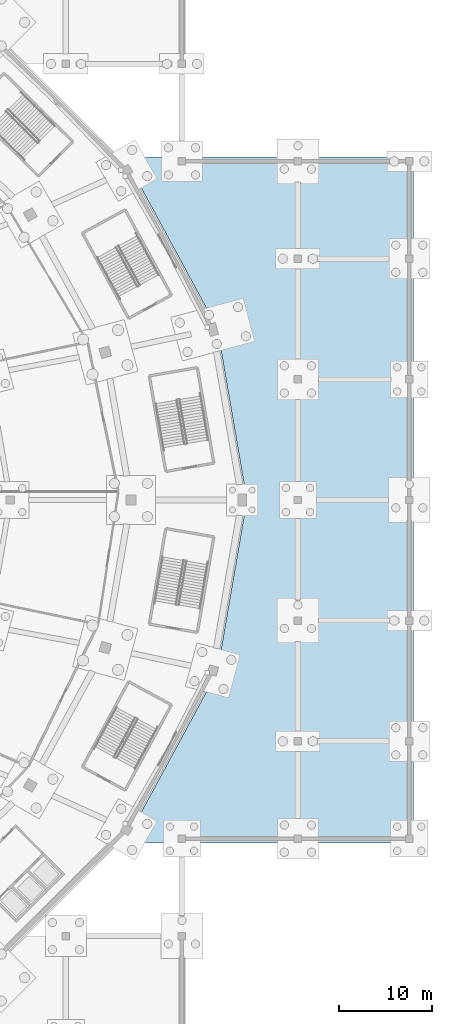
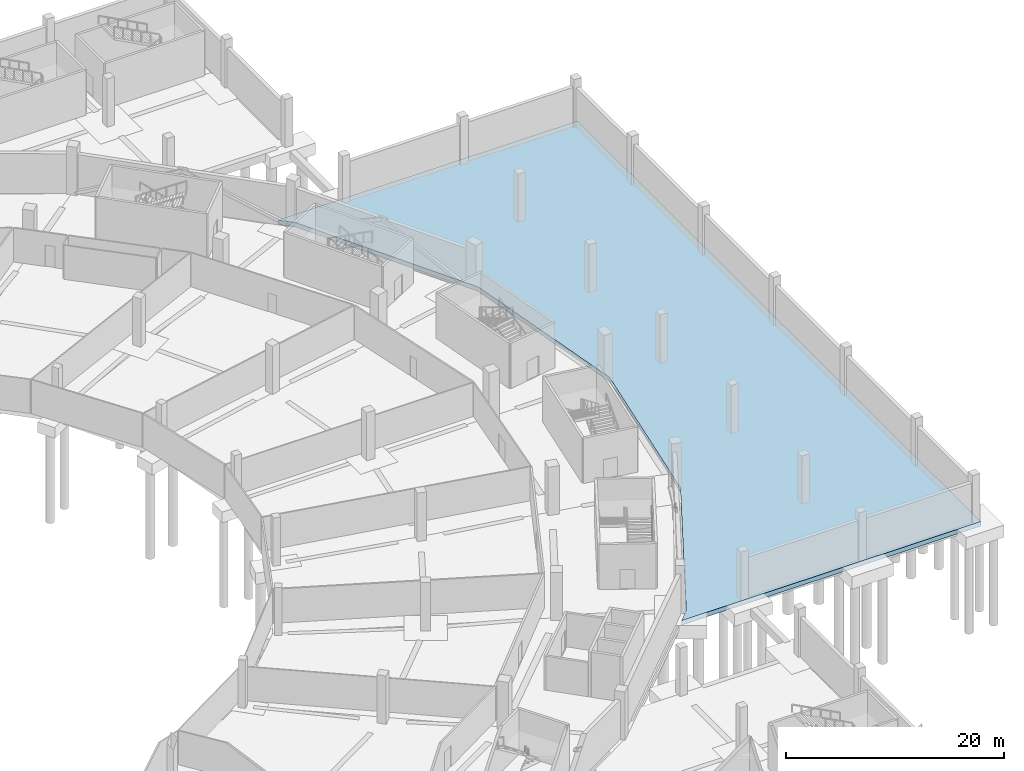
# One storey, part 24 of 74: 1 slab.
"""IFC4 building model written with IfcOpenShell, lengths in metres."""

import ifcopenshell
import ifcopenshell.guid

model = None  # the IFC model being written
_history = None  # IfcOwnerHistory: only IFC2X3 demands one
_inside = {}  # id of a spatial element -> (the spatial element, [elements in it])
_under = {}  # id of a project, library or spatial element -> (it, [spatial elements below it])
_declared = {}  # id of a project -> (the project, [libraries it declares])
_typed = {}  # id of a type object -> (the type object, [elements of that type])
_made_of = {}  # id of a material, layer set ... -> (it, [elements and type objects made of it])


def new_model(schema):
    """Start an empty IFC model of exactly this schema.

    Asked for "IFC4X3", IfcOpenShell would pick the latest addendum, in which some entities
    have other attributes; the version numbers below select the first issue.
    IFC2X3 requires an IfcOwnerHistory on every rooted entity: one is made here for all.
    """
    global model, _history
    if schema == "IFC4X3":
        model = ifcopenshell.file(schema_version=(4, 3, 0, 0))
    else:
        model = ifcopenshell.file(schema=schema)
    _inside.clear()
    _under.clear()
    _declared.clear()
    _typed.clear()
    _made_of.clear()
    _history = None
    if model.schema == "IFC2X3":
        org = make("IfcOrganization", Name="unknown")
        user = make(
            "IfcPersonAndOrganization",
            ThePerson=make("IfcPerson", FamilyName="unknown"),
            TheOrganization=org,
        )
        app = make(
            "IfcApplication",
            ApplicationDeveloper=org,
            Version="unknown",
            ApplicationFullName="unknown",
            ApplicationIdentifier="unknown",
        )
        _history = make(
            "IfcOwnerHistory",
            OwningUser=user,
            OwningApplication=app,
            ChangeAction="ADDED",
            CreationDate=0,
        )
    return model


def make(cls, **values):
    """One entity of the class cls with the attributes given. An attribute that is None is left unset."""
    return model.create_entity(
        cls, **{name: value for name, value in values.items() if value is not None}
    )


def rooted(cls, **values):
    """An entity with a GlobalId (a new one), such as an element, a storey or a relation."""
    return make(cls, GlobalId=ifcopenshell.guid.new(), OwnerHistory=_history, **values)


def si_unit(unit_type, name, prefix=None):
    """IfcSIUnit, for example si_unit("LENGTHUNIT", "METRE", prefix="MILLI")."""
    return make("IfcSIUnit", UnitType=unit_type, Prefix=prefix, Name=name)


def assignment(units):
    """IfcUnitAssignment: the units of a project."""
    return None if units is None else make("IfcUnitAssignment", Units=units)


def point(xyz):
    """IfcCartesianPoint."""
    return None if xyz is None else make("IfcCartesianPoint", Coordinates=xyz)


def direction(xyz):
    """IfcDirection."""
    return None if xyz is None else make("IfcDirection", DirectionRatios=xyz)


def frame(location, z_axis=None, x_axis=None):
    """IfcAxis2Placement3D, a coordinate frame: its origin and axes. An axis left out is left unset."""
    return make(
        "IfcAxis2Placement3D",
        Location=point(location),
        Axis=direction(z_axis),
        RefDirection=direction(x_axis),
    )


def origin():
    """The frame at (0, 0, 0) with its axes left unset."""
    return frame((0.0, 0.0, 0.0))


def place(relative_to, where):
    """IfcLocalPlacement: puts the frame where relative to a parent placement (None: the world)."""
    return make(
        "IfcLocalPlacement", PlacementRelTo=relative_to, RelativePlacement=where
    )


def context(
    kind, dimensions, precision=None, world=None, true_north=None, identifier=None
):
    """IfcGeometricRepresentationContext, for example the 3D "Model" context."""
    return make(
        "IfcGeometricRepresentationContext",
        ContextIdentifier=identifier,
        ContextType=kind,
        CoordinateSpaceDimension=dimensions,
        Precision=precision,
        WorldCoordinateSystem=world,
        TrueNorth=true_north,
    )


def subcontext(parent, identifier, kind, view, scale=None):
    """IfcGeometricRepresentationSubContext, for example "Body" below "Model"."""
    return make(
        "IfcGeometricRepresentationSubContext",
        ContextIdentifier=identifier,
        ContextType=kind,
        ParentContext=parent,
        TargetScale=scale,
        TargetView=view,
    )


def project(units=None, contexts=None):
    """IfcProject with its units and contexts."""
    return rooted(
        "IfcProject",
        Name="project",
        RepresentationContexts=contexts,
        UnitsInContext=assignment(units),
    )


def spatial(cls, under=None, at=None, **own):
    """A site, building, storey or space (cls), placed at a placement, below another one or the project."""
    s = rooted(cls, ObjectPlacement=at, **own)
    if under is not None:
        _under.setdefault(under.id(), (under, []))[1].append(s)
    return s


def polyline(points):
    """IfcPolyline through the points."""
    return make("IfcPolyline", Points=[point(p) for p in points])


def outline(outer, holes=None, kind="AREA"):
    """IfcArbitraryClosedProfileDef: a profile drawn as a closed curve; with holes, ...WithVoids."""
    if holes is None:
        return make("IfcArbitraryClosedProfileDef", ProfileType=kind, OuterCurve=outer)
    return make(
        "IfcArbitraryProfileDefWithVoids",
        ProfileType=kind,
        OuterCurve=outer,
        InnerCurves=holes,
    )


def extrude(swept, where, along, depth):
    """IfcExtrudedAreaSolid: the profile swept, set in the frame where, extruded along a direction by depth."""
    return make(
        "IfcExtrudedAreaSolid",
        SweptArea=swept,
        Position=where,
        ExtrudedDirection=direction(along),
        Depth=depth,
    )


def shape(context_of_items, identifier, shape_type, items):
    """IfcShapeRepresentation: the items that make up one representation, for example the "Body"."""
    return make(
        "IfcShapeRepresentation",
        ContextOfItems=context_of_items,
        RepresentationIdentifier=identifier,
        RepresentationType=shape_type,
        Items=items,
    )


def material(Name=None, Category=None):
    """IfcMaterial."""
    return make("IfcMaterial", Name=Name, Category=Category)


def layer(
    of_material, thickness, ventilated=None, Name=None, Category=None, Priority=None
):
    """IfcMaterialLayer: one layer of a wall or slab, of a material (None: an air gap)."""
    return make(
        "IfcMaterialLayer",
        Material=of_material,
        LayerThickness=thickness,
        IsVentilated=ventilated,
        Name=Name,
        Category=Category,
        Priority=Priority,
    )


def layer_set(layers, Name=None):
    """IfcMaterialLayerSet."""
    return make("IfcMaterialLayerSet", MaterialLayers=layers, LayerSetName=Name)


def made_of(thing, what):
    """Note that an element or type object is made of a material, layer set ...; save() writes the relation."""
    if what is not None:
        _made_of.setdefault(what.id(), (what, []))[1].append(thing)
    return thing


def type_object(cls, material=None, **own):
    """A type object (cls), such as IfcWallType, which elements share."""
    return made_of(rooted(cls, **own), material)


def element(
    cls,
    number,
    at=None,
    inside=None,
    cuts=None,
    type_object=None,
    material=None,
    context=None,
    identifier="Body",
    shape_type=None,
    held_by="IfcProductDefinitionShape",
    body=None,
    shapes=None,
    **own,
):
    """One element of the class cls, such as IfcWall. Its Tag is "e" and its number.

    at: its placement. inside: the storey or other place that contains it. cuts: it is an
    opening in that element (IfcRelVoidsElement). A single representation is given by context,
    identifier, shape_type and body (its items); several are given by shapes. held_by: the class
    of the entity that holds the representations. save() writes the other relations.
    """
    e = rooted(cls, Tag="e%d" % number, ObjectPlacement=at, **own)
    if body is not None:
        shapes = [shape(context, identifier, shape_type, body)]
    if shapes is not None:
        e.Representation = make(held_by, Representations=shapes)
    if inside is not None:
        _inside.setdefault(inside.id(), (inside, []))[1].append(e)
    if cuts is not None:
        rooted(
            "IfcRelVoidsElement", RelatingBuildingElement=cuts, RelatedOpeningElement=e
        )
    if type_object is not None:
        _typed.setdefault(type_object.id(), (type_object, []))[1].append(e)
    return made_of(e, material)


def aggregate(whole, parts):
    """IfcRelAggregates: a whole, such as a stair, and the parts it consists of."""
    return rooted("IfcRelAggregates", RelatingObject=whole, RelatedObjects=parts)


def save(model, path):
    """Write the relations noted so far, then the file.

    IfcRelAggregates (storeys below a building ...), IfcRelContainedInSpatialStructure (elements
    in a storey), IfcRelDefinesByType, IfcRelAssociatesMaterial and IfcRelDeclares: one each for
    every whole, place, type object, material and project.
    """
    for whole, parts in _under.values():
        aggregate(whole, parts)
    for where, things in _inside.values():
        rooted(
            "IfcRelContainedInSpatialStructure",
            RelatedElements=things,
            RelatingStructure=where,
        )
    for kind, things in _typed.values():
        rooted("IfcRelDefinesByType", RelatedObjects=things, RelatingType=kind)
    for what, things in _made_of.values():
        rooted("IfcRelAssociatesMaterial", RelatedObjects=things, RelatingMaterial=what)
    for by, libraries in _declared.values():
        rooted("IfcRelDeclares", RelatingContext=by, RelatedDefinitions=libraries)
    model.write(path)


model = new_model("IFC4")

# Units and contexts
model_context = context("Model", 3, precision=1e-05, world=origin(), true_north=direction((0.0, 1.0)))
body_context = subcontext(model_context, "Body", "Model", "MODEL_VIEW")
ifc_project = project(units=[si_unit("LENGTHUNIT", "METRE"), si_unit("AREAUNIT", "SQUARE_METRE"), si_unit("VOLUMEUNIT", "CUBIC_METRE"), si_unit("PLANEANGLEUNIT", "RADIAN"), si_unit("MASSUNIT", "GRAM", prefix="KILO")], contexts=[model_context])

# Site, building, storey
site_placement = place(None, origin())
site = spatial("IfcSite", under=ifc_project, at=site_placement, CompositionType="ELEMENT")
building_placement = place(site_placement, origin())
building = spatial("IfcBuilding", under=site, at=building_placement, Name="Zlatoyarsky Gate Stadium", CompositionType="ELEMENT")
storey_placement = place(building_placement, frame((0.0, 0.0, -5.39990234375)))
storey = spatial("IfcBuildingStorey", under=building, at=storey_placement, Name="B1", CompositionType="ELEMENT", Elevation=-5.39990234375)

# Slab
ifc_material = material(Name="Concrete C35/45", Category="concrete")
ifc_layer = layer(ifc_material, 0.5)
ifc_layer_set = layer_set([ifc_layer], Name="Concrete C35/45")
slab_type = type_object("IfcSlabType", Name="CONCRETE BASE SLAB 500", PredefinedType="BASESLAB", material=ifc_layer_set)
slab_placement = place(storey_placement, frame((0.0, 0.0, -0.5)))
element("IfcSlab", 1, at=slab_placement, inside=storey, type_object=slab_type, Name="B1 wing V5_EAST slab", PredefinedType="BASESLAB", context=body_context, shape_type="SweptSolid", body=[
    extrude(outline(polyline([(190.769287109375, 43.050048828125), (191.973388671875, 44.25), (201.314208984375, 61.494384765625), (204.5, 80.0), (201.314208984375, 98.505615234375), (191.973388671875, 115.75), (190.769287109375, 116.949951171875), (222.449951171875, 116.949951171875), (222.449951171875, 43.050048828125), (190.769287109375, 43.050048828125)])), origin(), (0.0, 0.0, 1.0), 0.5),
])

save(model, "model.ifc")
